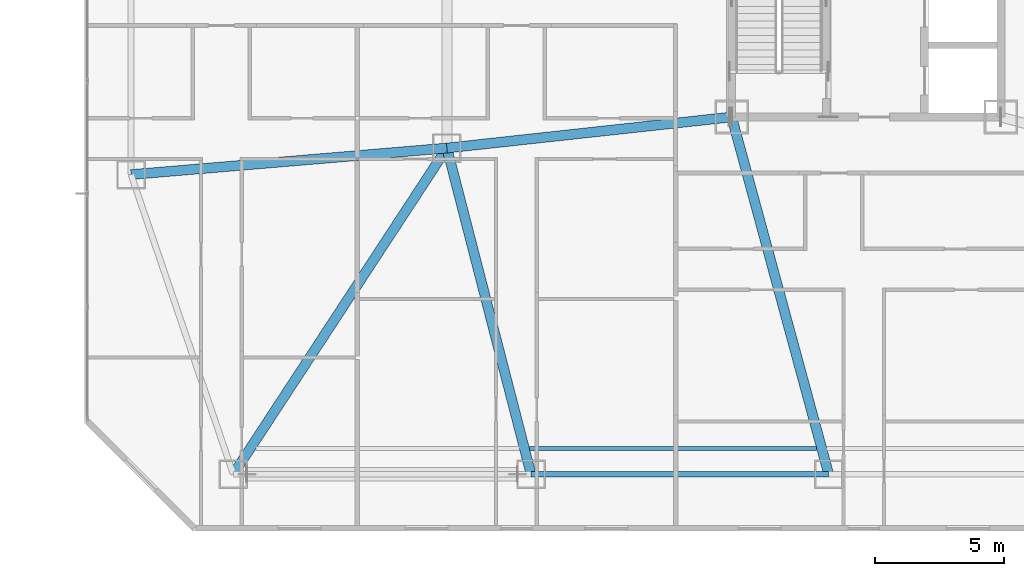
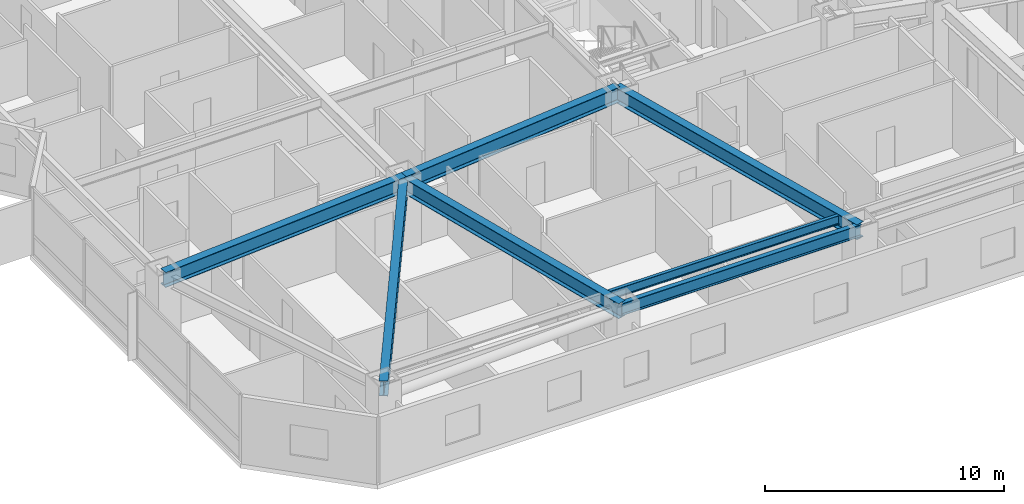
# One storey, part 5 of 19: 7 beams.
"""IFC4 building model written with IfcOpenShell, lengths in metres."""

import ifcopenshell
import ifcopenshell.guid

model = None  # the IFC model being written
_history = None  # IfcOwnerHistory: only IFC2X3 demands one
_inside = {}  # id of a spatial element -> (the spatial element, [elements in it])
_under = {}  # id of a project, library or spatial element -> (it, [spatial elements below it])
_declared = {}  # id of a project -> (the project, [libraries it declares])
_typed = {}  # id of a type object -> (the type object, [elements of that type])
_made_of = {}  # id of a material, layer set ... -> (it, [elements and type objects made of it])


def new_model(schema):
    """Start an empty IFC model of exactly this schema.

    Asked for "IFC4X3", IfcOpenShell would pick the latest addendum, in which some entities
    have other attributes; the version numbers below select the first issue.
    IFC2X3 requires an IfcOwnerHistory on every rooted entity: one is made here for all.
    """
    global model, _history
    if schema == "IFC4X3":
        model = ifcopenshell.file(schema_version=(4, 3, 0, 0))
    else:
        model = ifcopenshell.file(schema=schema)
    _inside.clear()
    _under.clear()
    _declared.clear()
    _typed.clear()
    _made_of.clear()
    _history = None
    if model.schema == "IFC2X3":
        org = make("IfcOrganization", Name="unknown")
        user = make(
            "IfcPersonAndOrganization",
            ThePerson=make("IfcPerson", FamilyName="unknown"),
            TheOrganization=org,
        )
        app = make(
            "IfcApplication",
            ApplicationDeveloper=org,
            Version="unknown",
            ApplicationFullName="unknown",
            ApplicationIdentifier="unknown",
        )
        _history = make(
            "IfcOwnerHistory",
            OwningUser=user,
            OwningApplication=app,
            ChangeAction="ADDED",
            CreationDate=0,
        )
    return model


def make(cls, **values):
    """One entity of the class cls with the attributes given. An attribute that is None is left unset."""
    return model.create_entity(
        cls, **{name: value for name, value in values.items() if value is not None}
    )


def rooted(cls, **values):
    """An entity with a GlobalId (a new one), such as an element, a storey or a relation."""
    return make(cls, GlobalId=ifcopenshell.guid.new(), OwnerHistory=_history, **values)


def si_unit(unit_type, name, prefix=None):
    """IfcSIUnit, for example si_unit("LENGTHUNIT", "METRE", prefix="MILLI")."""
    return make("IfcSIUnit", UnitType=unit_type, Prefix=prefix, Name=name)


def assignment(units):
    """IfcUnitAssignment: the units of a project."""
    return None if units is None else make("IfcUnitAssignment", Units=units)


def point(xyz):
    """IfcCartesianPoint."""
    return None if xyz is None else make("IfcCartesianPoint", Coordinates=xyz)


def direction(xyz):
    """IfcDirection."""
    return None if xyz is None else make("IfcDirection", DirectionRatios=xyz)


def frame(location, z_axis=None, x_axis=None):
    """IfcAxis2Placement3D, a coordinate frame: its origin and axes. An axis left out is left unset."""
    return make(
        "IfcAxis2Placement3D",
        Location=point(location),
        Axis=direction(z_axis),
        RefDirection=direction(x_axis),
    )


def frame_2d(location, x_axis=None):
    """IfcAxis2Placement2D, a coordinate frame in the plane: its origin and x axis."""
    return make(
        "IfcAxis2Placement2D", Location=point(location), RefDirection=direction(x_axis)
    )


def origin():
    """The frame at (0, 0, 0) with its axes left unset."""
    return frame((0.0, 0.0, 0.0))


def origin_2d():
    """The frame at (0, 0) in the plane with its x axis left unset."""
    return frame_2d((0.0, 0.0))


def place(relative_to, where):
    """IfcLocalPlacement: puts the frame where relative to a parent placement (None: the world)."""
    return make(
        "IfcLocalPlacement", PlacementRelTo=relative_to, RelativePlacement=where
    )


def context(
    kind, dimensions, precision=None, world=None, true_north=None, identifier=None
):
    """IfcGeometricRepresentationContext, for example the 3D "Model" context."""
    return make(
        "IfcGeometricRepresentationContext",
        ContextIdentifier=identifier,
        ContextType=kind,
        CoordinateSpaceDimension=dimensions,
        Precision=precision,
        WorldCoordinateSystem=world,
        TrueNorth=true_north,
    )


def subcontext(parent, identifier, kind, view, scale=None):
    """IfcGeometricRepresentationSubContext, for example "Body" below "Model"."""
    return make(
        "IfcGeometricRepresentationSubContext",
        ContextIdentifier=identifier,
        ContextType=kind,
        ParentContext=parent,
        TargetScale=scale,
        TargetView=view,
    )


def project(units=None, contexts=None):
    """IfcProject with its units and contexts."""
    return rooted(
        "IfcProject",
        Name="project",
        RepresentationContexts=contexts,
        UnitsInContext=assignment(units),
    )


def spatial(cls, under=None, at=None, **own):
    """A site, building, storey or space (cls), placed at a placement, below another one or the project."""
    s = rooted(cls, ObjectPlacement=at, **own)
    if under is not None:
        _under.setdefault(under.id(), (under, []))[1].append(s)
    return s


def profile(cls, at=None, kind="AREA", **sizes):
    """A parametric profile (cls). Its sizes go by their IFC names, for example OverallWidth=200.0."""
    return make(cls, ProfileType=kind, Position=at, **sizes)


def i_section(**sizes):
    """IfcIShapeProfileDef."""
    return profile("IfcIShapeProfileDef", **sizes)


def extrude(swept, where, along, depth):
    """IfcExtrudedAreaSolid: the profile swept, set in the frame where, extruded along a direction by depth."""
    return make(
        "IfcExtrudedAreaSolid",
        SweptArea=swept,
        Position=where,
        ExtrudedDirection=direction(along),
        Depth=depth,
    )


def shape(context_of_items, identifier, shape_type, items):
    """IfcShapeRepresentation: the items that make up one representation, for example the "Body"."""
    return make(
        "IfcShapeRepresentation",
        ContextOfItems=context_of_items,
        RepresentationIdentifier=identifier,
        RepresentationType=shape_type,
        Items=items,
    )


def material(Name=None, Category=None):
    """IfcMaterial."""
    return make("IfcMaterial", Name=Name, Category=Category)


def material_profile(
    of_material, cross_section, Name=None, Category=None, Priority=None
):
    """IfcMaterialProfile: a cross section and its material."""
    return make(
        "IfcMaterialProfile",
        Name=Name,
        Material=of_material,
        Profile=cross_section,
        Priority=Priority,
        Category=Category,
    )


def profile_set(profiles, Name=None, composite=None):
    """IfcMaterialProfileSet."""
    return make(
        "IfcMaterialProfileSet",
        Name=Name,
        MaterialProfiles=profiles,
        CompositeProfile=composite,
    )


def made_of(thing, what):
    """Note that an element or type object is made of a material, layer set ...; save() writes the relation."""
    if what is not None:
        _made_of.setdefault(what.id(), (what, []))[1].append(thing)
    return thing


def type_object(cls, material=None, **own):
    """A type object (cls), such as IfcWallType, which elements share."""
    return made_of(rooted(cls, **own), material)


def element(
    cls,
    number,
    at=None,
    inside=None,
    cuts=None,
    type_object=None,
    material=None,
    context=None,
    identifier="Body",
    shape_type=None,
    held_by="IfcProductDefinitionShape",
    body=None,
    shapes=None,
    **own,
):
    """One element of the class cls, such as IfcWall. Its Tag is "e" and its number.

    at: its placement. inside: the storey or other place that contains it. cuts: it is an
    opening in that element (IfcRelVoidsElement). A single representation is given by context,
    identifier, shape_type and body (its items); several are given by shapes. held_by: the class
    of the entity that holds the representations. save() writes the other relations.
    """
    e = rooted(cls, Tag="e%d" % number, ObjectPlacement=at, **own)
    if body is not None:
        shapes = [shape(context, identifier, shape_type, body)]
    if shapes is not None:
        e.Representation = make(held_by, Representations=shapes)
    if inside is not None:
        _inside.setdefault(inside.id(), (inside, []))[1].append(e)
    if cuts is not None:
        rooted(
            "IfcRelVoidsElement", RelatingBuildingElement=cuts, RelatedOpeningElement=e
        )
    if type_object is not None:
        _typed.setdefault(type_object.id(), (type_object, []))[1].append(e)
    return made_of(e, material)


def aggregate(whole, parts):
    """IfcRelAggregates: a whole, such as a stair, and the parts it consists of."""
    return rooted("IfcRelAggregates", RelatingObject=whole, RelatedObjects=parts)


def save(model, path):
    """Write the relations noted so far, then the file.

    IfcRelAggregates (storeys below a building ...), IfcRelContainedInSpatialStructure (elements
    in a storey), IfcRelDefinesByType, IfcRelAssociatesMaterial and IfcRelDeclares: one each for
    every whole, place, type object, material and project.
    """
    for whole, parts in _under.values():
        aggregate(whole, parts)
    for where, things in _inside.values():
        rooted(
            "IfcRelContainedInSpatialStructure",
            RelatedElements=things,
            RelatingStructure=where,
        )
    for kind, things in _typed.values():
        rooted("IfcRelDefinesByType", RelatedObjects=things, RelatingType=kind)
    for what, things in _made_of.values():
        rooted("IfcRelAssociatesMaterial", RelatedObjects=things, RelatingMaterial=what)
    for by, libraries in _declared.values():
        rooted("IfcRelDeclares", RelatingContext=by, RelatedDefinitions=libraries)
    model.write(path)


model = new_model("IFC4")

# Units and contexts
model_context = context("Model", 3, precision=1e-05, world=origin(), true_north=direction((0.0, 1.0)))
body_context = subcontext(model_context, "Body", "Model", "MODEL_VIEW")
ifc_project = project(units=[si_unit("LENGTHUNIT", "METRE"), si_unit("AREAUNIT", "SQUARE_METRE"), si_unit("VOLUMEUNIT", "CUBIC_METRE"), si_unit("PLANEANGLEUNIT", "RADIAN"), si_unit("MASSUNIT", "GRAM", prefix="KILO")], contexts=[model_context])

# Site, building, storey
site_placement = place(None, origin())
site = spatial("IfcSite", under=ifc_project, at=site_placement, CompositionType="ELEMENT")
building_placement = place(site_placement, origin())
building = spatial("IfcBuilding", under=site, at=building_placement, Name="Khamvora Tower", CompositionType="ELEMENT")
storey_placement = place(building_placement, frame((0.0, 0.0, 58.85009765625)))
storey = spatial("IfcBuildingStorey", under=building, at=storey_placement, Name="L14", CompositionType="ELEMENT", Elevation=58.85009765625)

# Beams
ifc_material = material(Name="Steel S355", Category="steel")
ifc_material_profile_1 = material_profile(ifc_material, i_section(OverallWidth=0.154052734375, OverallDepth=0.458984375, WebThickness=0.009033203125, FlangeThickness=0.014892578125, FilletRadius=0.011962890625, at=origin_2d()), Name="W460x68")
ifc_profile_set_1 = profile_set([ifc_material_profile_1], Name="Steel S355")
beam_type_1 = type_object("IfcBeamType", Name="BM-JS-W460x68", PredefinedType="JOIST", material=ifc_profile_set_1)
beam_1_placement = place(storey_placement, frame((21.18408203125, 6.199951171875, 3.199951171875), z_axis=(1.0, 0.0, 0.0), x_axis=(0.0, 1.0, 0.0)))
element("IfcBeam", 1, at=beam_1_placement, inside=storey, type_object=beam_type_1, Name="L14 secondary floor joist 02", PredefinedType="JOIST", context=body_context, shape_type="SweptSolid", body=[
    extrude(i_section(OverallWidth=0.154052734375, OverallDepth=0.458984375, WebThickness=0.009033203125, FlangeThickness=0.014892578125, FilletRadius=0.011962890625, at=origin_2d()), origin(), (0.0, 0.0, 1.0), 11.101806640625),
])
ifc_material_profile_2 = material_profile(ifc_material, i_section(OverallWidth=0.381103515625, OverallDepth=0.77294921875, WebThickness=0.01708984375, FlangeThickness=0.027099609375, FilletRadius=0.01806640625, at=origin_2d()), Name="W760x257")
ifc_profile_set_2 = profile_set([ifc_material_profile_2], Name="Steel S355")
beam_type_2 = type_object("IfcBeamType", Name="BM-PG-W760x257", PredefinedType="BEAM", material=ifc_profile_set_2)
beam_2_placement = place(storey_placement, frame((18.0, 17.800048828125, 3.0439453125), z_axis=(-0.547782969742, -0.836620474325, 0.0), x_axis=(0.836620474325, -0.547782969742, 0.0)))
element("IfcBeam", 2, at=beam_2_placement, inside=storey, type_object=beam_type_2, Name="L14 primary floor girder S1", PredefinedType="BEAM", context=body_context, shape_type="SweptSolid", body=[
    extrude(i_section(OverallWidth=0.381103515625, OverallDepth=0.77294921875, WebThickness=0.01708984375, FlangeThickness=0.027099609375, FilletRadius=0.01806640625, at=origin_2d()), origin(), (0.0, 0.0, 1.0), 15.060791015625),
])
beam_3_placement = place(storey_placement, frame((18.0, 17.800048828125, 3.0439453125), z_axis=(0.249759990341, -0.968307775051, 0.0), x_axis=(0.968307775051, 0.249759990341, 0.0)))
element("IfcBeam", 3, at=beam_3_placement, inside=storey, type_object=beam_type_2, Name="L14 primary floor girder S2", PredefinedType="BEAM", context=body_context, shape_type="SweptSolid", body=[
    extrude(i_section(OverallWidth=0.381103515625, OverallDepth=0.77294921875, WebThickness=0.01708984375, FlangeThickness=0.027099609375, FilletRadius=0.01806640625, at=origin_2d()), origin(), (0.0, 0.0, 1.0), 13.012451171875),
])
beam_4_placement = place(storey_placement, frame((29.0, 19.0, 3.0439453125), z_axis=(0.262228883577, -0.965005706003, 0.0), x_axis=(0.965005706003, 0.262228883577, 0.0)))
element("IfcBeam", 4, at=beam_4_placement, inside=storey, type_object=beam_type_2, Name="L14 primary floor girder S3", PredefinedType="BEAM", context=body_context, shape_type="SweptSolid", body=[
    extrude(i_section(OverallWidth=0.381103515625, OverallDepth=0.77294921875, WebThickness=0.01708984375, FlangeThickness=0.027099609375, FilletRadius=0.01806640625, at=origin_2d()), origin(), (0.0, 0.0, 1.0), 14.300537109375),
])
beam_5_placement = place(storey_placement, frame((18.0, 17.800048828125, 3.0439453125), z_axis=(-0.996488172114, -0.083733642207, 0.0), x_axis=(0.083733642207, -0.996488172114, 0.0)))
element("IfcBeam", 5, at=beam_5_placement, inside=storey, type_object=beam_type_2, Name="L14 primary floor girder W1", PredefinedType="BEAM", context=body_context, shape_type="SweptSolid", body=[
    extrude(i_section(OverallWidth=0.381103515625, OverallDepth=0.77294921875, WebThickness=0.01708984375, FlangeThickness=0.027099609375, FilletRadius=0.01806640625, at=origin_2d()), origin(), (0.0, 0.0, 1.0), 12.242919921875),
])
beam_6_placement = place(storey_placement, frame((29.0, 19.0, 3.0439453125), z_axis=(-0.994102652327, -0.108443149329, 0.0), x_axis=(0.108443149329, -0.994102652327, 0.0)))
element("IfcBeam", 6, at=beam_6_placement, inside=storey, type_object=beam_type_2, Name="L14 primary floor girder MW1", PredefinedType="BEAM", context=body_context, shape_type="SweptSolid", body=[
    extrude(i_section(OverallWidth=0.381103515625, OverallDepth=0.77294921875, WebThickness=0.01708984375, FlangeThickness=0.027099609375, FilletRadius=0.01806640625, at=origin_2d()), origin(), (0.0, 0.0, 1.0), 11.065185546875),
])
ifc_material_profile_3 = material_profile(ifc_material, i_section(OverallWidth=0.22998046875, OverallDepth=0.616943359375, WebThickness=0.012939453125, FlangeThickness=0.02197265625, FilletRadius=0.013916015625, at=origin_2d()), Name="W610x140")
ifc_profile_set_3 = profile_set([ifc_material_profile_3], Name="Steel S355")
beam_type_3 = type_object("IfcBeamType", Name="BM-SP-W610x140", PredefinedType="SPANDREL", material=ifc_profile_set_3)
beam_7_placement = place(storey_placement, frame((21.25, 5.199951171875, 3.120849609375), z_axis=(1.0, 0.0, 0.0), x_axis=(0.0, 1.0, 0.0)))
element("IfcBeam", 7, at=beam_7_placement, inside=storey, type_object=beam_type_3, Name="L14 perimeter spandrel beam S2-S3", PredefinedType="SPANDREL", context=body_context, shape_type="SweptSolid", body=[
    extrude(i_section(OverallWidth=0.22998046875, OverallDepth=0.616943359375, WebThickness=0.012939453125, FlangeThickness=0.02197265625, FilletRadius=0.013916015625, at=origin_2d()), origin(), (0.0, 0.0, 1.0), 11.5),
])

save(model, "model.ifc")
